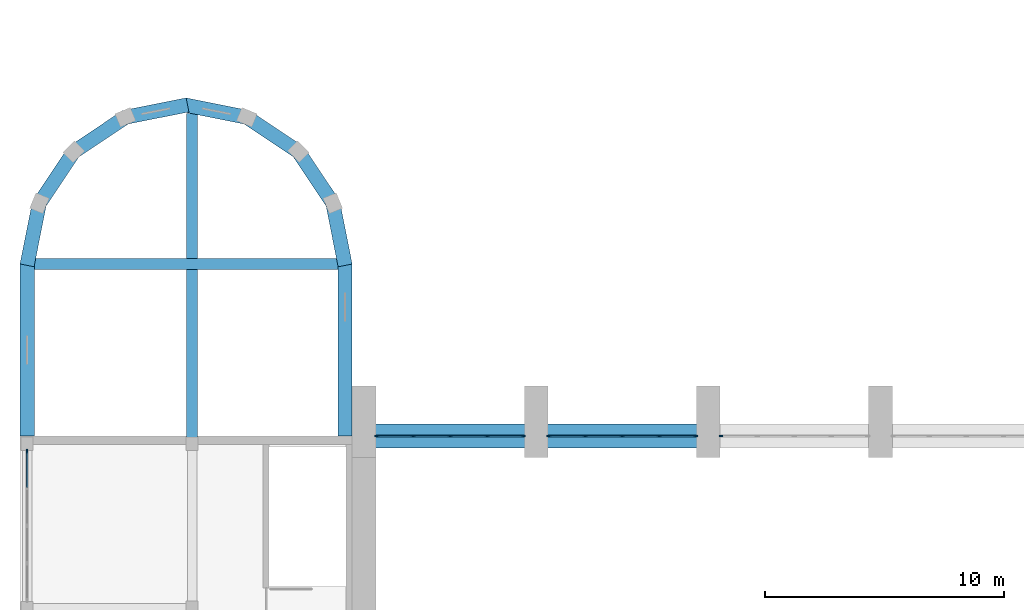
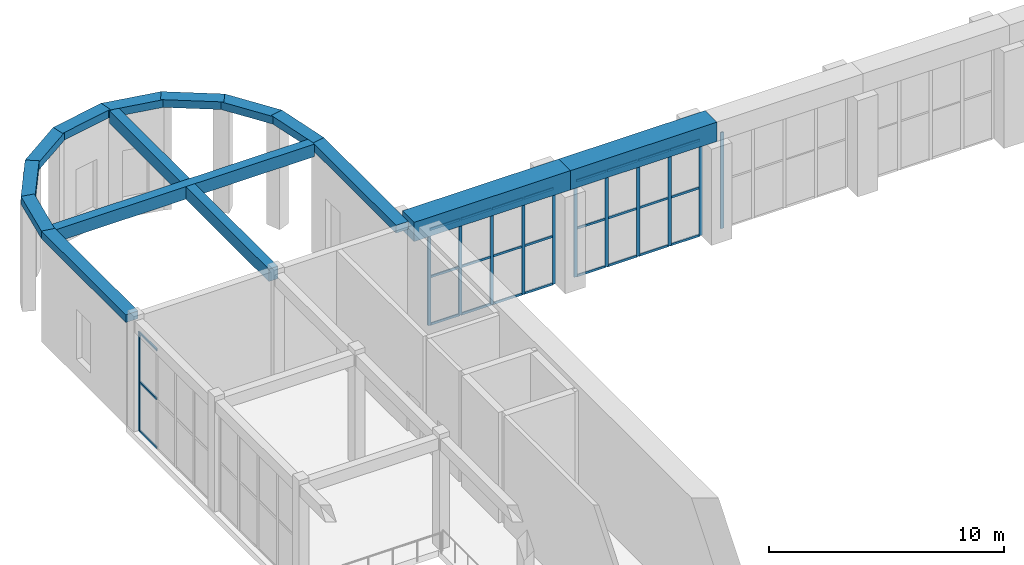
# One storey, part 7 of 44: 39 members, 15 beams, 4 elements without a shape of their own.
"""IFC4 building model written with IfcOpenShell, lengths in metres."""

from ifc_helpers import new_model, si_unit, direction, frame, origin, origin_2d, place, context, subcontext, project, spatial, rectangle, extrude, material, material_profile, profile_set, type_object, element, aggregate, save


model = new_model("IFC4")

# Units and contexts
model_context = context("Model", 3, precision=1e-05, world=origin(), true_north=direction((0.0, 1.0)))
body_context = subcontext(model_context, "Body", "Model", "MODEL_VIEW")
ifc_project = project(units=[si_unit("LENGTHUNIT", "METRE"), si_unit("AREAUNIT", "SQUARE_METRE"), si_unit("VOLUMEUNIT", "CUBIC_METRE"), si_unit("PLANEANGLEUNIT", "RADIAN"), si_unit("MASSUNIT", "GRAM", prefix="KILO")], contexts=[model_context])

# Site, building, storey
site_placement = place(None, origin())
site = spatial("IfcSite", under=ifc_project, at=site_placement, CompositionType="ELEMENT")
building_placement = place(site_placement, origin())
building = spatial("IfcBuilding", under=site, at=building_placement, Name="Vermilion Court Aquatics Centre", CompositionType="ELEMENT")
storey_placement = place(building_placement, frame((0.0, 0.0, 6.0)))
storey = spatial("IfcBuildingStorey", under=building, at=storey_placement, Name="L01", CompositionType="ELEMENT", Elevation=6.0)

# Curtain wall, members
ifc_material_1 = material(Name="Aluminium 6063-T5", Category="aluminium")
curtain_wall_type_1 = type_object("IfcCurtainWallType", Name="Envelope curtain wall hall clerestory L01", PredefinedType="NOTDEFINED", material=ifc_material_1)
curtain_wall_1_placement = place(storey_placement, origin())
curtain_wall_1 = element("IfcCurtainWall", 1, at=curtain_wall_1_placement, inside=storey, type_object=curtain_wall_type_1, Name="Hall clerestory bay 1 L01", PredefinedType="NOTDEFINED")
ifc_material_2 = material(Name="Aluminium 6063-T5", Category="aluminium")
ifc_material_profile_1 = material_profile(ifc_material_2, rectangle(XDim=0.06005859375, YDim=0.159912109375, at=origin_2d()), Name="AL 60x160")
ifc_profile_set_1 = profile_set([ifc_material_profile_1], Name="Aluminium 6063-T5")
member_type_1 = type_object("IfcMemberType", Name="Envelope aluminium mullion 60x160", PredefinedType="MULLION", material=ifc_profile_set_1)
member_1_placement = place(storey_placement, frame((14.929931640625, 64.800048828125, 0.0), z_axis=(0.0, 0.0, 1.0), x_axis=(0.0, 1.0, 0.0)))
member_1 = element("IfcMember", 2, at=member_1_placement, type_object=member_type_1, Name="ECW2 mullion 1", PredefinedType="MULLION", context=body_context, shape_type="SweptSolid", body=[
    extrude(rectangle(XDim=0.06005859375, YDim=0.159912109375, at=origin_2d()), origin(), (0.0, 0.0, 1.0), 5.0),
])
member_2_placement = place(storey_placement, frame((16.449951171875, 64.800048828125, 0.0), z_axis=(0.0, 0.0, 1.0), x_axis=(0.0, 1.0, 0.0)))
member_2 = element("IfcMember", 3, at=member_2_placement, type_object=member_type_1, Name="ECW2 mullion 2", PredefinedType="MULLION", context=body_context, shape_type="SweptSolid", body=[
    extrude(rectangle(XDim=0.06005859375, YDim=0.159912109375, at=origin_2d()), origin(), (0.0, 0.0, 1.0), 5.0),
])
member_3_placement = place(storey_placement, frame((18.0, 64.800048828125, 0.0), z_axis=(0.0, 0.0, 1.0), x_axis=(0.0, 1.0, 0.0)))
member_3 = element("IfcMember", 4, at=member_3_placement, type_object=member_type_1, Name="ECW2 mullion 3", PredefinedType="MULLION", context=body_context, shape_type="SweptSolid", body=[
    extrude(rectangle(XDim=0.06005859375, YDim=0.159912109375, at=origin_2d()), origin(), (0.0, 0.0, 1.0), 5.0),
])
member_4_placement = place(storey_placement, frame((19.550048828125, 64.800048828125, 0.0), z_axis=(0.0, 0.0, 1.0), x_axis=(0.0, 1.0, 0.0)))
member_4 = element("IfcMember", 5, at=member_4_placement, type_object=member_type_1, Name="ECW2 mullion 4", PredefinedType="MULLION", context=body_context, shape_type="SweptSolid", body=[
    extrude(rectangle(XDim=0.06005859375, YDim=0.159912109375, at=origin_2d()), origin(), (0.0, 0.0, 1.0), 5.0),
])
member_5_placement = place(storey_placement, frame((21.070068359375, 64.800048828125, 0.0), z_axis=(0.0, 0.0, 1.0), x_axis=(0.0, 1.0, 0.0)))
member_5 = element("IfcMember", 6, at=member_5_placement, type_object=member_type_1, Name="ECW2 mullion 5", PredefinedType="MULLION", context=body_context, shape_type="SweptSolid", body=[
    extrude(rectangle(XDim=0.06005859375, YDim=0.159912109375, at=origin_2d()), origin(), (0.0, 0.0, 1.0), 5.0),
])

curtain_wall_2_placement = place(storey_placement, origin())
curtain_wall_2 = element("IfcCurtainWall", 7, at=curtain_wall_2_placement, inside=storey, type_object=curtain_wall_type_1, Name="Hall clerestory bay 2 L01", PredefinedType="NOTDEFINED")
member_6_placement = place(storey_placement, frame((22.1298828125, 64.800048828125, 0.0), z_axis=(0.0, 0.0, 1.0), x_axis=(0.0, 1.0, 0.0)))
member_6 = element("IfcMember", 8, at=member_6_placement, type_object=member_type_1, Name="ECW2 mullion 1", PredefinedType="MULLION", context=body_context, shape_type="SweptSolid", body=[
    extrude(rectangle(XDim=0.06005859375, YDim=0.159912109375, at=origin_2d()), origin(), (0.0, 0.0, 1.0), 5.0),
])
member_7_placement = place(storey_placement, frame((23.64990234375, 64.800048828125, 0.0), z_axis=(0.0, 0.0, 1.0), x_axis=(0.0, 1.0, 0.0)))
member_7 = element("IfcMember", 9, at=member_7_placement, type_object=member_type_1, Name="ECW2 mullion 2", PredefinedType="MULLION", context=body_context, shape_type="SweptSolid", body=[
    extrude(rectangle(XDim=0.06005859375, YDim=0.159912109375, at=origin_2d()), origin(), (0.0, 0.0, 1.0), 5.0),
])
member_8_placement = place(storey_placement, frame((25.199951171875, 64.800048828125, 0.0), z_axis=(0.0, 0.0, 1.0), x_axis=(0.0, 1.0, 0.0)))
member_8 = element("IfcMember", 10, at=member_8_placement, type_object=member_type_1, Name="ECW2 mullion 3", PredefinedType="MULLION", context=body_context, shape_type="SweptSolid", body=[
    extrude(rectangle(XDim=0.06005859375, YDim=0.159912109375, at=origin_2d()), origin(), (0.0, 0.0, 1.0), 5.0),
])
member_9_placement = place(storey_placement, frame((26.75, 64.800048828125, 0.0), z_axis=(0.0, 0.0, 1.0), x_axis=(0.0, 1.0, 0.0)))
member_9 = element("IfcMember", 11, at=member_9_placement, type_object=member_type_1, Name="ECW2 mullion 4", PredefinedType="MULLION", context=body_context, shape_type="SweptSolid", body=[
    extrude(rectangle(XDim=0.06005859375, YDim=0.159912109375, at=origin_2d()), origin(), (0.0, 0.0, 1.0), 5.0),
])
member_10_placement = place(storey_placement, frame((28.27001953125, 64.800048828125, 0.0), z_axis=(0.0, 0.0, 1.0), x_axis=(0.0, 1.0, 0.0)))
member_10 = element("IfcMember", 12, at=member_10_placement, type_object=member_type_1, Name="ECW2 mullion 5", PredefinedType="MULLION", context=body_context, shape_type="SweptSolid", body=[
    extrude(rectangle(XDim=0.06005859375, YDim=0.159912109375, at=origin_2d()), origin(), (0.0, 0.0, 1.0), 5.0),
])

# Curtain wall, member
curtain_wall_3_placement = place(storey_placement, origin())
curtain_wall_3 = element("IfcCurtainWall", 13, at=curtain_wall_3_placement, inside=storey, type_object=curtain_wall_type_1, Name="Hall clerestory bay 3 L01", PredefinedType="NOTDEFINED")
member_11_placement = place(storey_placement, frame((29.330078125, 64.800048828125, 0.0), z_axis=(0.0, 0.0, 1.0), x_axis=(0.0, 1.0, 0.0)))
member_11 = element("IfcMember", 14, at=member_11_placement, type_object=member_type_1, Name="ECW2 mullion 1", PredefinedType="MULLION", context=body_context, shape_type="SweptSolid", body=[
    extrude(rectangle(XDim=0.06005859375, YDim=0.159912109375, at=origin_2d()), origin(), (0.0, 0.0, 1.0), 5.0),
])
aggregate(curtain_wall_3, [member_11])

# Member
ifc_material_3 = material(Name="Aluminium 6063-T5", Category="aluminium")
ifc_material_profile_2 = material_profile(ifc_material_3, rectangle(XDim=0.06005859375, YDim=0.1201171875, at=origin_2d()), Name="AL 60x120")
ifc_profile_set_2 = profile_set([ifc_material_profile_2], Name="Aluminium 6063-T5")
member_type_2 = type_object("IfcMemberType", Name="Envelope aluminium transom 60x120", PredefinedType="USERDEFINED", material=ifc_profile_set_2)
member_12_placement = place(storey_placement, frame((14.9599609375, 64.800048828125, 0.030029296875), z_axis=(1.0, 0.0, 0.0), x_axis=(0.0, 1.0, 0.0)))
member_12 = element("IfcMember", 15, at=member_12_placement, type_object=member_type_2, Name="ECW2 transom 1.1", ObjectType="TRANSOM", PredefinedType="USERDEFINED", context=body_context, shape_type="SweptSolid", body=[
    extrude(rectangle(XDim=0.06005859375, YDim=0.1201171875, at=origin_2d()), origin(), (0.0, 0.0, 1.0), 1.4599609375),
])

member_13_placement = place(storey_placement, frame((14.9599609375, 64.800048828125, 2.5), z_axis=(1.0, 0.0, 0.0), x_axis=(0.0, 1.0, 0.0)))
member_13 = element("IfcMember", 16, at=member_13_placement, type_object=member_type_2, Name="ECW2 transom 1.2", ObjectType="TRANSOM", PredefinedType="USERDEFINED", context=body_context, shape_type="SweptSolid", body=[
    extrude(rectangle(XDim=0.06005859375, YDim=0.1201171875, at=origin_2d()), origin(), (0.0, 0.0, 1.0), 1.4599609375),
])

member_14_placement = place(storey_placement, frame((14.9599609375, 64.800048828125, 4.969970703125), z_axis=(1.0, 0.0, 0.0), x_axis=(0.0, 1.0, 0.0)))
member_14 = element("IfcMember", 17, at=member_14_placement, type_object=member_type_2, Name="ECW2 transom 1.3", ObjectType="TRANSOM", PredefinedType="USERDEFINED", context=body_context, shape_type="SweptSolid", body=[
    extrude(rectangle(XDim=0.06005859375, YDim=0.1201171875, at=origin_2d()), origin(), (0.0, 0.0, 1.0), 1.4599609375),
])

member_15_placement = place(storey_placement, frame((16.47998046875, 64.800048828125, 0.030029296875), z_axis=(1.0, 0.0, 0.0), x_axis=(0.0, 1.0, 0.0)))
member_15 = element("IfcMember", 18, at=member_15_placement, type_object=member_type_2, Name="ECW2 transom 2.1", ObjectType="TRANSOM", PredefinedType="USERDEFINED", context=body_context, shape_type="SweptSolid", body=[
    extrude(rectangle(XDim=0.06005859375, YDim=0.1201171875, at=origin_2d()), origin(), (0.0, 0.0, 1.0), 1.489990234375),
])

member_16_placement = place(storey_placement, frame((16.47998046875, 64.800048828125, 2.5), z_axis=(1.0, 0.0, 0.0), x_axis=(0.0, 1.0, 0.0)))
member_16 = element("IfcMember", 19, at=member_16_placement, type_object=member_type_2, Name="ECW2 transom 2.2", ObjectType="TRANSOM", PredefinedType="USERDEFINED", context=body_context, shape_type="SweptSolid", body=[
    extrude(rectangle(XDim=0.06005859375, YDim=0.1201171875, at=origin_2d()), origin(), (0.0, 0.0, 1.0), 1.489990234375),
])

member_17_placement = place(storey_placement, frame((16.47998046875, 64.800048828125, 4.969970703125), z_axis=(1.0, 0.0, 0.0), x_axis=(0.0, 1.0, 0.0)))
member_17 = element("IfcMember", 20, at=member_17_placement, type_object=member_type_2, Name="ECW2 transom 2.3", ObjectType="TRANSOM", PredefinedType="USERDEFINED", context=body_context, shape_type="SweptSolid", body=[
    extrude(rectangle(XDim=0.06005859375, YDim=0.1201171875, at=origin_2d()), origin(), (0.0, 0.0, 1.0), 1.489990234375),
])

member_18_placement = place(storey_placement, frame((18.030029296875, 64.800048828125, 0.030029296875), z_axis=(1.0, 0.0, 0.0), x_axis=(0.0, 1.0, 0.0)))
member_18 = element("IfcMember", 21, at=member_18_placement, type_object=member_type_2, Name="ECW2 transom 3.1", ObjectType="TRANSOM", PredefinedType="USERDEFINED", context=body_context, shape_type="SweptSolid", body=[
    extrude(rectangle(XDim=0.06005859375, YDim=0.1201171875, at=origin_2d()), origin(), (0.0, 0.0, 1.0), 1.489990234375),
])

member_19_placement = place(storey_placement, frame((18.030029296875, 64.800048828125, 2.5), z_axis=(1.0, 0.0, 0.0), x_axis=(0.0, 1.0, 0.0)))
member_19 = element("IfcMember", 22, at=member_19_placement, type_object=member_type_2, Name="ECW2 transom 3.2", ObjectType="TRANSOM", PredefinedType="USERDEFINED", context=body_context, shape_type="SweptSolid", body=[
    extrude(rectangle(XDim=0.06005859375, YDim=0.1201171875, at=origin_2d()), origin(), (0.0, 0.0, 1.0), 1.489990234375),
])

member_20_placement = place(storey_placement, frame((18.030029296875, 64.800048828125, 4.969970703125), z_axis=(1.0, 0.0, 0.0), x_axis=(0.0, 1.0, 0.0)))
member_20 = element("IfcMember", 23, at=member_20_placement, type_object=member_type_2, Name="ECW2 transom 3.3", ObjectType="TRANSOM", PredefinedType="USERDEFINED", context=body_context, shape_type="SweptSolid", body=[
    extrude(rectangle(XDim=0.06005859375, YDim=0.1201171875, at=origin_2d()), origin(), (0.0, 0.0, 1.0), 1.489990234375),
])

member_21_placement = place(storey_placement, frame((19.580078125, 64.800048828125, 0.030029296875), z_axis=(1.0, 0.0, 0.0), x_axis=(0.0, 1.0, 0.0)))
member_21 = element("IfcMember", 24, at=member_21_placement, type_object=member_type_2, Name="ECW2 transom 4.1", ObjectType="TRANSOM", PredefinedType="USERDEFINED", context=body_context, shape_type="SweptSolid", body=[
    extrude(rectangle(XDim=0.06005859375, YDim=0.1201171875, at=origin_2d()), origin(), (0.0, 0.0, 1.0), 1.4599609375),
])

member_22_placement = place(storey_placement, frame((19.580078125, 64.800048828125, 2.5), z_axis=(1.0, 0.0, 0.0), x_axis=(0.0, 1.0, 0.0)))
member_22 = element("IfcMember", 25, at=member_22_placement, type_object=member_type_2, Name="ECW2 transom 4.2", ObjectType="TRANSOM", PredefinedType="USERDEFINED", context=body_context, shape_type="SweptSolid", body=[
    extrude(rectangle(XDim=0.06005859375, YDim=0.1201171875, at=origin_2d()), origin(), (0.0, 0.0, 1.0), 1.4599609375),
])

member_23_placement = place(storey_placement, frame((19.580078125, 64.800048828125, 4.969970703125), z_axis=(1.0, 0.0, 0.0), x_axis=(0.0, 1.0, 0.0)))
member_23 = element("IfcMember", 26, at=member_23_placement, type_object=member_type_2, Name="ECW2 transom 4.3", ObjectType="TRANSOM", PredefinedType="USERDEFINED", context=body_context, shape_type="SweptSolid", body=[
    extrude(rectangle(XDim=0.06005859375, YDim=0.1201171875, at=origin_2d()), origin(), (0.0, 0.0, 1.0), 1.4599609375),
])

aggregate(curtain_wall_1, [member_1, member_2, member_3, member_4, member_5, member_12, member_13, member_14, member_15, member_16, member_17, member_18, member_19, member_20, member_21, member_22, member_23])

member_24_placement = place(storey_placement, frame((22.159912109375, 64.800048828125, 0.030029296875), z_axis=(1.0, 0.0, 0.0), x_axis=(0.0, 1.0, 0.0)))
member_24 = element("IfcMember", 27, at=member_24_placement, type_object=member_type_2, Name="ECW2 transom 1.1", ObjectType="TRANSOM", PredefinedType="USERDEFINED", context=body_context, shape_type="SweptSolid", body=[
    extrude(rectangle(XDim=0.06005859375, YDim=0.1201171875, at=origin_2d()), origin(), (0.0, 0.0, 1.0), 1.460205078125),
])

member_25_placement = place(storey_placement, frame((22.159912109375, 64.800048828125, 2.5), z_axis=(1.0, 0.0, 0.0), x_axis=(0.0, 1.0, 0.0)))
member_25 = element("IfcMember", 28, at=member_25_placement, type_object=member_type_2, Name="ECW2 transom 1.2", ObjectType="TRANSOM", PredefinedType="USERDEFINED", context=body_context, shape_type="SweptSolid", body=[
    extrude(rectangle(XDim=0.06005859375, YDim=0.1201171875, at=origin_2d()), origin(), (0.0, 0.0, 1.0), 1.460205078125),
])

member_26_placement = place(storey_placement, frame((22.159912109375, 64.800048828125, 4.969970703125), z_axis=(1.0, 0.0, 0.0), x_axis=(0.0, 1.0, 0.0)))
member_26 = element("IfcMember", 29, at=member_26_placement, type_object=member_type_2, Name="ECW2 transom 1.3", ObjectType="TRANSOM", PredefinedType="USERDEFINED", context=body_context, shape_type="SweptSolid", body=[
    extrude(rectangle(XDim=0.06005859375, YDim=0.1201171875, at=origin_2d()), origin(), (0.0, 0.0, 1.0), 1.460205078125),
])

member_27_placement = place(storey_placement, frame((23.679931640625, 64.800048828125, 0.030029296875), z_axis=(1.0, 0.0, 0.0), x_axis=(0.0, 1.0, 0.0)))
member_27 = element("IfcMember", 30, at=member_27_placement, type_object=member_type_2, Name="ECW2 transom 2.1", ObjectType="TRANSOM", PredefinedType="USERDEFINED", context=body_context, shape_type="SweptSolid", body=[
    extrude(rectangle(XDim=0.06005859375, YDim=0.1201171875, at=origin_2d()), origin(), (0.0, 0.0, 1.0), 1.489990234375),
])

member_28_placement = place(storey_placement, frame((23.679931640625, 64.800048828125, 2.5), z_axis=(1.0, 0.0, 0.0), x_axis=(0.0, 1.0, 0.0)))
member_28 = element("IfcMember", 31, at=member_28_placement, type_object=member_type_2, Name="ECW2 transom 2.2", ObjectType="TRANSOM", PredefinedType="USERDEFINED", context=body_context, shape_type="SweptSolid", body=[
    extrude(rectangle(XDim=0.06005859375, YDim=0.1201171875, at=origin_2d()), origin(), (0.0, 0.0, 1.0), 1.489990234375),
])

member_29_placement = place(storey_placement, frame((23.679931640625, 64.800048828125, 4.969970703125), z_axis=(1.0, 0.0, 0.0), x_axis=(0.0, 1.0, 0.0)))
member_29 = element("IfcMember", 32, at=member_29_placement, type_object=member_type_2, Name="ECW2 transom 2.3", ObjectType="TRANSOM", PredefinedType="USERDEFINED", context=body_context, shape_type="SweptSolid", body=[
    extrude(rectangle(XDim=0.06005859375, YDim=0.1201171875, at=origin_2d()), origin(), (0.0, 0.0, 1.0), 1.489990234375),
])

member_30_placement = place(storey_placement, frame((25.22998046875, 64.800048828125, 0.030029296875), z_axis=(1.0, 0.0, 0.0), x_axis=(0.0, 1.0, 0.0)))
member_30 = element("IfcMember", 33, at=member_30_placement, type_object=member_type_2, Name="ECW2 transom 3.1", ObjectType="TRANSOM", PredefinedType="USERDEFINED", context=body_context, shape_type="SweptSolid", body=[
    extrude(rectangle(XDim=0.06005859375, YDim=0.1201171875, at=origin_2d()), origin(), (0.0, 0.0, 1.0), 1.489990234375),
])

member_31_placement = place(storey_placement, frame((25.22998046875, 64.800048828125, 2.5), z_axis=(1.0, 0.0, 0.0), x_axis=(0.0, 1.0, 0.0)))
member_31 = element("IfcMember", 34, at=member_31_placement, type_object=member_type_2, Name="ECW2 transom 3.2", ObjectType="TRANSOM", PredefinedType="USERDEFINED", context=body_context, shape_type="SweptSolid", body=[
    extrude(rectangle(XDim=0.06005859375, YDim=0.1201171875, at=origin_2d()), origin(), (0.0, 0.0, 1.0), 1.489990234375),
])

member_32_placement = place(storey_placement, frame((25.22998046875, 64.800048828125, 4.969970703125), z_axis=(1.0, 0.0, 0.0), x_axis=(0.0, 1.0, 0.0)))
member_32 = element("IfcMember", 35, at=member_32_placement, type_object=member_type_2, Name="ECW2 transom 3.3", ObjectType="TRANSOM", PredefinedType="USERDEFINED", context=body_context, shape_type="SweptSolid", body=[
    extrude(rectangle(XDim=0.06005859375, YDim=0.1201171875, at=origin_2d()), origin(), (0.0, 0.0, 1.0), 1.489990234375),
])

member_33_placement = place(storey_placement, frame((26.780029296875, 64.800048828125, 0.030029296875), z_axis=(1.0, 0.0, 0.0), x_axis=(0.0, 1.0, 0.0)))
member_33 = element("IfcMember", 36, at=member_33_placement, type_object=member_type_2, Name="ECW2 transom 4.1", ObjectType="TRANSOM", PredefinedType="USERDEFINED", context=body_context, shape_type="SweptSolid", body=[
    extrude(rectangle(XDim=0.06005859375, YDim=0.1201171875, at=origin_2d()), origin(), (0.0, 0.0, 1.0), 1.4599609375),
])

member_34_placement = place(storey_placement, frame((26.780029296875, 64.800048828125, 2.5), z_axis=(1.0, 0.0, 0.0), x_axis=(0.0, 1.0, 0.0)))
member_34 = element("IfcMember", 37, at=member_34_placement, type_object=member_type_2, Name="ECW2 transom 4.2", ObjectType="TRANSOM", PredefinedType="USERDEFINED", context=body_context, shape_type="SweptSolid", body=[
    extrude(rectangle(XDim=0.06005859375, YDim=0.1201171875, at=origin_2d()), origin(), (0.0, 0.0, 1.0), 1.4599609375),
])

member_35_placement = place(storey_placement, frame((26.780029296875, 64.800048828125, 4.969970703125), z_axis=(1.0, 0.0, 0.0), x_axis=(0.0, 1.0, 0.0)))
member_35 = element("IfcMember", 38, at=member_35_placement, type_object=member_type_2, Name="ECW2 transom 4.3", ObjectType="TRANSOM", PredefinedType="USERDEFINED", context=body_context, shape_type="SweptSolid", body=[
    extrude(rectangle(XDim=0.06005859375, YDim=0.1201171875, at=origin_2d()), origin(), (0.0, 0.0, 1.0), 1.4599609375),
])

aggregate(curtain_wall_2, [member_6, member_7, member_8, member_9, member_10, member_24, member_25, member_26, member_27, member_28, member_29, member_30, member_31, member_32, member_33, member_34, member_35])

# Curtain wall, members
ifc_material_4 = material(Name="Aluminium 6063-T5", Category="aluminium")
curtain_wall_type_2 = type_object("IfcCurtainWallType", Name="Foyer curtain wall", PredefinedType="NOTDEFINED", material=ifc_material_4)
curtain_wall_4_placement = place(storey_placement, origin())
curtain_wall_4 = element("IfcCurtainWall", 39, at=curtain_wall_4_placement, inside=storey, type_object=curtain_wall_type_2, Name="Foyer curtain wall 9", PredefinedType="NOTDEFINED")
ifc_material_5 = material(Name="Aluminium 6063-T5", Category="aluminium")
ifc_material_profile_3 = material_profile(ifc_material_5, rectangle(XDim=0.06005859375, YDim=0.159912109375, at=origin_2d()), Name="Aluminium 60x160")
ifc_profile_set_3 = profile_set([ifc_material_profile_3], Name="Aluminium 6063-T5")
member_type_3 = type_object("IfcMemberType", Name="Foyer mullion 60x160", PredefinedType="MULLION", material=ifc_profile_set_3)
member_36_placement = place(storey_placement, frame((0.300048828125, 64.169921875, 0.0), z_axis=(0.0, 0.0, 1.0), x_axis=(-1.0, 0.0, 0.0)))
member_36 = element("IfcMember", 40, at=member_36_placement, type_object=member_type_3, Name="FCW1 mullion 5", PredefinedType="MULLION", context=body_context, shape_type="SweptSolid", body=[
    extrude(rectangle(XDim=0.06005859375, YDim=0.159912109375, at=origin_2d()), origin(), (0.0, 0.0, 1.0), 5.14990234375),
])
ifc_material_6 = material(Name="Aluminium 6063-T5", Category="aluminium")
ifc_material_profile_4 = material_profile(ifc_material_6, rectangle(XDim=0.06005859375, YDim=0.1201171875, at=origin_2d()), Name="Aluminium 60x120")
ifc_profile_set_4 = profile_set([ifc_material_profile_4], Name="Aluminium 6063-T5")
member_type_4 = type_object("IfcMemberType", Name="Foyer transom 60x120", PredefinedType="USERDEFINED", material=ifc_profile_set_4)
member_37_placement = place(storey_placement, frame((0.300048828125, 62.655029296875, 0.030029296875), z_axis=(0.0, 1.0, 0.0), x_axis=(-1.0, 0.0, 0.0)))
member_37 = element("IfcMember", 41, at=member_37_placement, type_object=member_type_4, Name="FCW1 transom 4.1", ObjectType="TRANSOM", PredefinedType="USERDEFINED", context=body_context, shape_type="SweptSolid", body=[
    extrude(rectangle(XDim=0.06005859375, YDim=0.1201171875, at=origin_2d()), origin(), (0.0, 0.0, 1.0), 1.48486328125),
])
member_38_placement = place(storey_placement, frame((0.300048828125, 62.655029296875, 2.574951171875), z_axis=(0.0, 1.0, 0.0), x_axis=(-1.0, 0.0, 0.0)))
member_38 = element("IfcMember", 42, at=member_38_placement, type_object=member_type_4, Name="FCW1 transom 4.2", ObjectType="TRANSOM", PredefinedType="USERDEFINED", context=body_context, shape_type="SweptSolid", body=[
    extrude(rectangle(XDim=0.06005859375, YDim=0.1201171875, at=origin_2d()), origin(), (0.0, 0.0, 1.0), 1.48486328125),
])
member_39_placement = place(storey_placement, frame((0.300048828125, 62.655029296875, 5.1201171875), z_axis=(0.0, 1.0, 0.0), x_axis=(-1.0, 0.0, 0.0)))
member_39 = element("IfcMember", 43, at=member_39_placement, type_object=member_type_4, Name="FCW1 transom 4.3", ObjectType="TRANSOM", PredefinedType="USERDEFINED", context=body_context, shape_type="SweptSolid", body=[
    extrude(rectangle(XDim=0.06005859375, YDim=0.1201171875, at=origin_2d()), origin(), (0.0, 0.0, 1.0), 1.48486328125),
])
aggregate(curtain_wall_4, [member_36, member_37, member_38, member_39])

# Beams
ifc_material_7 = material(Name="Concrete 5000 psi", Category="concrete")
ifc_material_profile_5 = material_profile(ifc_material_7, rectangle(XDim=1.0, YDim=1.0, at=origin_2d()), Name="RC 1000x1000")
ifc_profile_set_5 = profile_set([ifc_material_profile_5], Name="Concrete 5000 psi")
beam_type_1 = type_object("IfcBeamType", Name="Roof springing tie beam north (clear span between piers)", PredefinedType="BEAM", material=ifc_profile_set_5)
beam_1_placement = place(storey_placement, frame((13.89990234375, 64.800048828125, 5.5), z_axis=(1.0, 0.0, 0.0), x_axis=(0.0, 1.0, 0.0)))
element("IfcBeam", 44, at=beam_1_placement, inside=storey, type_object=beam_type_1, Name="Springing tie beam STN01", PredefinedType="BEAM", context=body_context, shape_type="SweptSolid", body=[
    extrude(rectangle(XDim=1.0, YDim=1.0, at=origin_2d()), origin(), (0.0, 0.0, 1.0), 7.7001953125),
])
beam_2_placement = place(storey_placement, frame((21.60009765625, 64.800048828125, 5.5), z_axis=(1.0, 0.0, 0.0), x_axis=(0.0, 1.0, 0.0)))
element("IfcBeam", 45, at=beam_2_placement, inside=storey, type_object=beam_type_1, Name="Springing tie beam STN02", PredefinedType="BEAM", context=body_context, shape_type="SweptSolid", body=[
    extrude(rectangle(XDim=1.0, YDim=1.0, at=origin_2d()), origin(), (0.0, 0.0, 1.0), 7.199951171875),
])
ifc_material_8 = material(Name="Concrete 5000 psi", Category="concrete")
ifc_material_profile_6 = material_profile(ifc_material_8, rectangle(XDim=0.60009765625, YDim=0.39990234375, at=origin_2d()), Name="RC 600x400")
ifc_profile_set_6 = profile_set([ifc_material_profile_6], Name="Concrete 5000 psi")
beam_type_2 = type_object("IfcBeamType", Name="Rotunda ring beam RC 600x400", PredefinedType="BEAM", material=ifc_profile_set_6)
for number, where, z_axis, x_axis, name in (
    (46, (0.294189453125, 71.94140625, 5.550048828125), (0.195094536973, 0.980784441987, 0.0), (-0.980784441987, 0.195094536973, 0.0), "Rotunda ring beam"),
    (47, (0.778564453125, 74.492919921875, 5.550048828125), (0.55548944654, 0.831523586426, 0.0), (-0.831523586426, 0.55548944654, 0.0), "Rotunda ring beam"),
):
    element("IfcBeam", number, at=place(storey_placement, frame(where, z_axis=z_axis, x_axis=x_axis)), inside=storey, type_object=beam_type_2, Name=name, PredefinedType="BEAM", context=body_context, shape_type="SweptSolid", body=[
        extrude(rectangle(XDim=0.60009765625, YDim=0.39990234375, at=origin_2d()), origin(), (0.0, 0.0, 1.0), 2.711669921875),
    ])
beam_3_placement = place(storey_placement, frame((2.202392578125, 76.6650390625, 5.550048828125), z_axis=(0.831495802664, 0.555531034373, 0.0), x_axis=(-0.555531034373, 0.831495802664, 0.0)))
element("IfcBeam", 48, at=beam_3_placement, inside=storey, type_object=beam_type_2, Name="Rotunda ring beam", PredefinedType="BEAM", context=body_context, shape_type="SweptSolid", body=[
    extrude(rectangle(XDim=0.60009765625, YDim=0.39990234375, at=origin_2d()), origin(), (0.0, 0.0, 1.0), 2.71142578125),
])
beam_4_placement = place(storey_placement, frame((4.348876953125, 78.126708984375, 5.550048828125), z_axis=(0.980784441987, 0.195094536973, 0.0), x_axis=(-0.195094536973, 0.980784441987, 0.0)))
element("IfcBeam", 49, at=beam_4_placement, inside=storey, type_object=beam_type_2, Name="Rotunda ring beam", PredefinedType="BEAM", context=body_context, shape_type="SweptSolid", body=[
    extrude(rectangle(XDim=0.60009765625, YDim=0.39990234375, at=origin_2d()), origin(), (0.0, 0.0, 1.0), 2.711669921875),
])
for number, where, z_axis, x_axis, name in (
    (50, (6.8916015625, 78.65576171875, 5.550048828125), (0.98078101483, -0.195111765275, 0.0), (0.195111765275, 0.98078101483, 0.0), "Rotunda ring beam"),
    (51, (9.443115234375, 78.17138671875, 5.550048828125), (0.831495802664, -0.555531034373, 0.0), (0.555531034373, 0.831495802664, 0.0), "Rotunda ring beam"),
):
    element("IfcBeam", number, at=place(storey_placement, frame(where, z_axis=z_axis, x_axis=x_axis)), inside=storey, type_object=beam_type_2, Name=name, PredefinedType="BEAM", context=body_context, shape_type="SweptSolid", body=[
        extrude(rectangle(XDim=0.60009765625, YDim=0.39990234375, at=origin_2d()), origin(), (0.0, 0.0, 1.0), 2.71142578125),
    ])
beam_5_placement = place(storey_placement, frame((11.614990234375, 76.747802734375, 5.550048828125), z_axis=(0.555551691933, -0.831482000761, 0.0), x_axis=(0.831482000761, 0.555551691933, 0.0)))
element("IfcBeam", 52, at=beam_5_placement, inside=storey, type_object=beam_type_2, Name="Rotunda ring beam", PredefinedType="BEAM", context=body_context, shape_type="SweptSolid", body=[
    extrude(rectangle(XDim=0.60009765625, YDim=0.39990234375, at=origin_2d()), origin(), (0.0, 0.0, 1.0), 2.7119140625),
])
beam_6_placement = place(storey_placement, frame((13.07666015625, 74.60107421875, 5.550048828125), z_axis=(0.195094536973, -0.980784441987, 0.0), x_axis=(0.980784441987, 0.195094536973, 0.0)))
element("IfcBeam", 53, at=beam_6_placement, inside=storey, type_object=beam_type_2, Name="Rotunda ring beam", PredefinedType="BEAM", context=body_context, shape_type="SweptSolid", body=[
    extrude(rectangle(XDim=0.60009765625, YDim=0.39990234375, at=origin_2d()), origin(), (0.0, 0.0, 1.0), 2.711669921875),
])
for number, where, z_axis, x_axis, name in (
    (54, (0.300048828125, 64.800048828125, 5.550048828125), (0.0, 1.0, 0.0), (-1.0, 0.0, 0.0), "Rotunda ring beam"),
    (55, (13.60009765625, 64.800048828125, 5.550048828125), (0.0, 1.0, 0.0), (-1.0, 0.0, 0.0), "Rotunda ring beam"),
):
    element("IfcBeam", number, at=place(storey_placement, frame(where, z_axis=z_axis, x_axis=x_axis)), inside=storey, type_object=beam_type_2, Name=name, PredefinedType="BEAM", context=body_context, shape_type="SweptSolid", body=[
        extrude(rectangle(XDim=0.60009765625, YDim=0.39990234375, at=origin_2d()), origin(), (0.0, 0.0, 1.0), 7.199951171875),
    ])
ifc_material_9 = material(Name="Concrete 5000 psi", Category="concrete")
ifc_material_profile_7 = material_profile(ifc_material_9, rectangle(XDim=0.449951171875, YDim=0.64990234375, at=origin_2d()), Name="RC 450x650")
ifc_profile_set_7 = profile_set([ifc_material_profile_7], Name="Concrete 5000 psi")
beam_type_3 = type_object("IfcBeamType", Name="Rotunda roof beam RC 450x650", PredefinedType="BEAM", material=ifc_profile_set_7)
beam_7_placement = place(storey_placement, frame((0.60009765625, 72.0, 5.425048828125), z_axis=(1.0, 0.0, 0.0), x_axis=(0.0, 1.0, 0.0)))
element("IfcBeam", 56, at=beam_7_placement, inside=storey, type_object=beam_type_3, Name="Rotunda roof beam", PredefinedType="BEAM", context=body_context, shape_type="SweptSolid", body=[
    extrude(rectangle(XDim=0.449951171875, YDim=0.64990234375, at=origin_2d()), origin(), (0.0, 0.0, 1.0), 12.699951171875),
])
beam_8_placement = place(storey_placement, frame((7.199951171875, 64.699951171875, 5.425048828125), z_axis=(0.0, 1.0, 0.0), x_axis=(-1.0, 0.0, 0.0)))
element("IfcBeam", 57, at=beam_8_placement, inside=storey, type_object=beam_type_3, Name="Rotunda roof beam", PredefinedType="BEAM", context=body_context, shape_type="SweptSolid", body=[
    extrude(rectangle(XDim=0.449951171875, YDim=0.64990234375, at=origin_2d()), origin(), (0.0, 0.0, 1.0), 7.074951171875),
])
beam_9_placement = place(storey_placement, frame((7.199951171875, 72.22509765625, 5.425048828125), z_axis=(0.0, 1.0, 0.0), x_axis=(-1.0, 0.0, 0.0)))
element("IfcBeam", 58, at=beam_9_placement, inside=storey, type_object=beam_type_3, Name="Rotunda roof beam", PredefinedType="BEAM", context=body_context, shape_type="SweptSolid", body=[
    extrude(rectangle(XDim=0.449951171875, YDim=0.64990234375, at=origin_2d()), origin(), (0.0, 0.0, 1.0), 6.0634765625),
])

save(model, "model.ifc")
